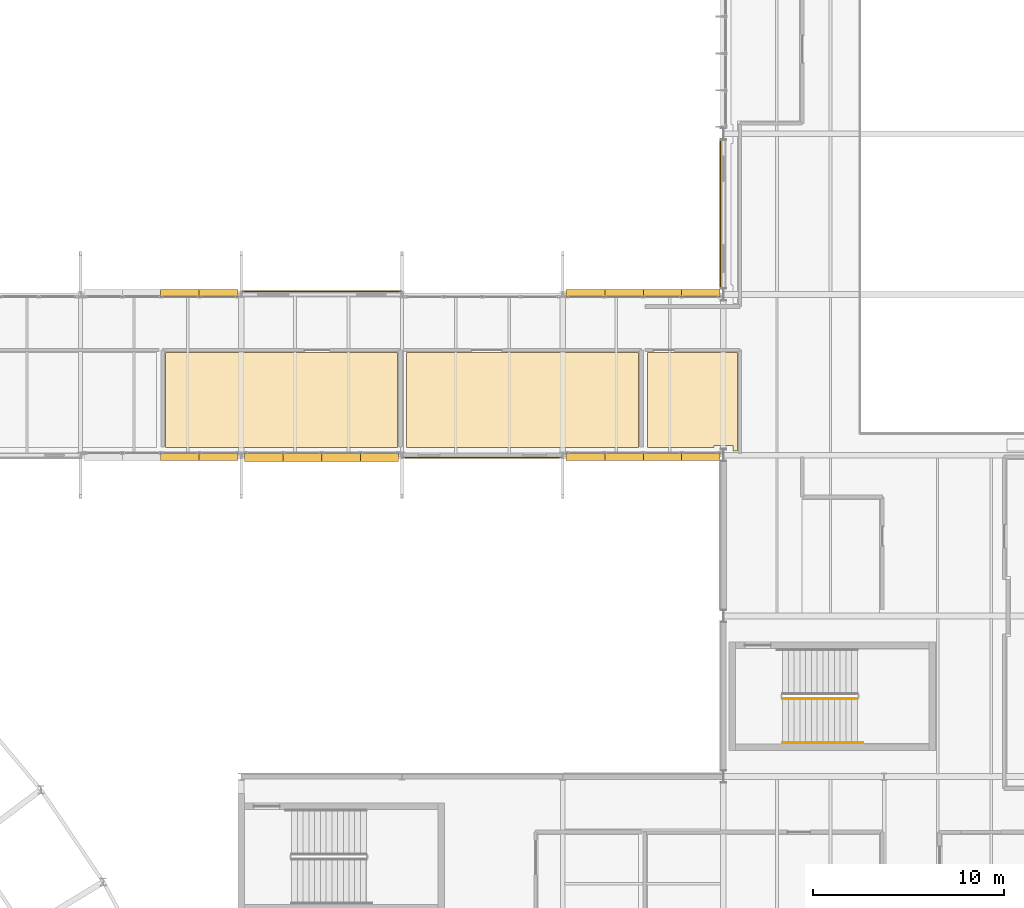
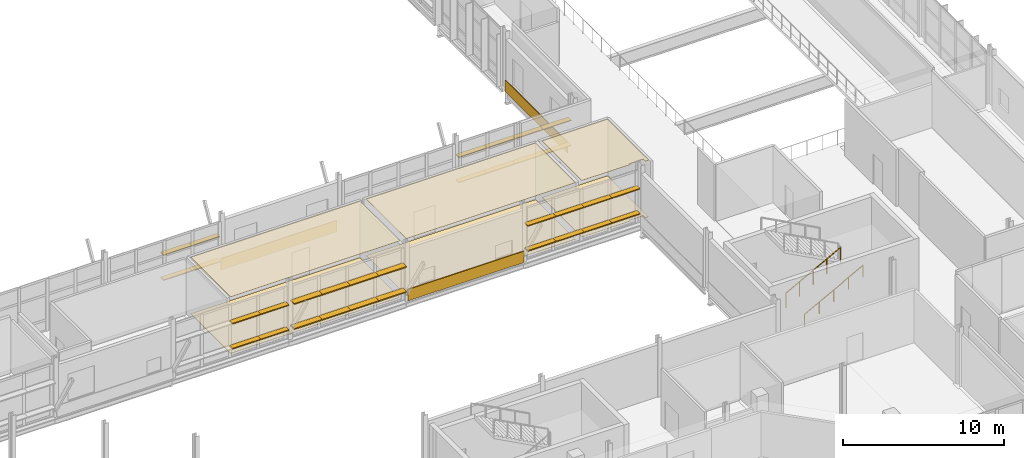
# One storey, part 112 of 129: 32 shading devices, 9 coverings, 2 railings.
"""IFC4 building model written with IfcOpenShell, lengths in metres."""

from ifc_helpers import new_model, si_unit, direction, frame, origin, origin_2d, place, context, subcontext, project, spatial, polyline, rectangle, circle, outline, extrude, material, layer, layer_set, type_object, element, save


model = new_model("IFC4")

# Units and contexts
model_context = context("Model", 3, precision=1e-05, world=origin(), true_north=direction((0.0, 1.0)))
body_context = subcontext(model_context, "Body", "Model", "MODEL_VIEW")
ifc_project = project(units=[si_unit("LENGTHUNIT", "METRE"), si_unit("AREAUNIT", "SQUARE_METRE"), si_unit("VOLUMEUNIT", "CUBIC_METRE"), si_unit("PLANEANGLEUNIT", "RADIAN"), si_unit("MASSUNIT", "GRAM", prefix="KILO")], contexts=[model_context])

# Site, building, storey
site_placement = place(None, origin())
site = spatial("IfcSite", under=ifc_project, at=site_placement, CompositionType="ELEMENT")
building_placement = place(site_placement, origin())
building = spatial("IfcBuilding", under=site, at=building_placement, Name="Mersafa Astral City Hall", CompositionType="ELEMENT")
storey_placement = place(building_placement, frame((0.0, 0.0, 5.39990234375)))
storey = spatial("IfcBuildingStorey", under=building, at=storey_placement, Name="L01", CompositionType="ELEMENT", Elevation=5.39990234375)

# Coverings
ifc_material_1 = material(Name="Cairo Mokattam buff limestone cladding", Category="masonry")
ifc_layer_1 = layer(ifc_material_1, 0.06005859375, Name="Cairo Mokattam buff limestone cladding")
ifc_layer_set_1 = layer_set([ifc_layer_1], Name="Cairo Mokattam buff limestone cladding — ENV-COV-LIMESTONE-60")
covering_type_1 = type_object("IfcCoveringType", Name="ENV-COV-LIMESTONE-60", PredefinedType="CLADDING", material=ifc_layer_set_1)
covering_1_placement = place(storey_placement, frame((92.23046875, 63.0, 0.0), z_axis=(0.0, 0.0, 1.0), x_axis=(0.0, -1.0, 0.0)))
element("IfcCovering", 1, at=covering_1_placement, inside=storey, type_object=covering_type_1, Name="L01 Cairo buff limestone rainscreen cladding 127", PredefinedType="CLADDING", context=body_context, shape_type="SweptSolid", body=[
    extrude(rectangle(XDim=7.697998046875, YDim=0.06005859375, at=origin_2d()), origin(), (0.0, 0.0, 1.0), 0.860107421875),
])
for number, where, z_axis, x_axis, name in (
    (2, (71.39990234375, 58.9619140625, 0.0), (0.0, 0.0, 1.0), (-1.0, 0.0, 0.0), "L01 Cairo buff limestone rainscreen cladding 128"),
    (3, (79.800048828125, 50.260498046875, 0.0), (0.0, 0.0, 1.0), (1.0, 0.0, 0.0), "L01 Cairo buff limestone rainscreen cladding 131"),
):
    element("IfcCovering", number, at=place(storey_placement, frame(where, z_axis=z_axis, x_axis=x_axis)), inside=storey, type_object=covering_type_1, Name=name, PredefinedType="CLADDING", context=body_context, shape_type="SweptSolid", body=[
        extrude(rectangle(XDim=8.323974609375, YDim=0.06005859375, at=origin_2d()), origin(), (0.0, 0.0, 1.0), 0.860107421875),
    ])

# Shading devices
ifc_material_2 = material(Name="Kiln-dried cedar timber brise-soleil blade", Category="wood")
shading_device_type_1 = type_object("IfcShadingDeviceType", Name="ENV-SHD-LOUVRE-380", PredefinedType="JALOUSIE", material=ifc_material_2)
shading_device_1_placement = place(storey_placement, frame((91.21337890625, 58.8798828125, 0.81494140625), z_axis=(0.0, 0.0, 1.0), x_axis=(-1.0, 0.0, 0.0)))
element("IfcShadingDevice", 4, at=shading_device_1_placement, inside=storey, type_object=shading_device_type_1, Name="L01 Horizontal cedar brise-soleil louvre 606", PredefinedType="JALOUSIE", context=body_context, shape_type="SweptSolid", body=[
    extrude(rectangle(XDim=2.029052734375, YDim=0.3798828125, at=origin_2d()), origin(), (0.0, 0.0, 1.0), 0.070068359375),
])
for number, where, z_axis, x_axis, name in (
    (5, (89.20947265625, 58.8798828125, 0.81494140625), (0.0, 0.0, 1.0), (-1.0, 0.0, 0.0), "L01 Horizontal cedar brise-soleil louvre 607"),
    (6, (87.1904296875, 58.8798828125, 0.81494140625), (0.0, 0.0, 1.0), (-1.0, 0.0, 0.0), "L01 Horizontal cedar brise-soleil louvre 608"),
):
    element("IfcShadingDevice", number, at=place(storey_placement, frame(where, z_axis=z_axis, x_axis=x_axis)), inside=storey, type_object=shading_device_type_1, Name=name, PredefinedType="JALOUSIE", context=body_context, shape_type="SweptSolid", body=[
        extrude(rectangle(XDim=2.05908203125, YDim=0.3798828125, at=origin_2d()), origin(), (0.0, 0.0, 1.0), 0.070068359375),
    ])
for number, where, z_axis, x_axis, name in (
    (7, (85.1865234375, 58.8798828125, 0.81494140625), (0.0, 0.0, 1.0), (-1.0, 0.0, 0.0), "L01 Horizontal cedar brise-soleil louvre 609"),
    (8, (91.21337890625, 58.8798828125, 2.71484375), (0.0, 0.0, 1.0), (-1.0, 0.0, 0.0), "L01 Horizontal cedar brise-soleil louvre 610"),
):
    element("IfcShadingDevice", number, at=place(storey_placement, frame(where, z_axis=z_axis, x_axis=x_axis)), inside=storey, type_object=shading_device_type_1, Name=name, PredefinedType="JALOUSIE", context=body_context, shape_type="SweptSolid", body=[
        extrude(rectangle(XDim=2.029052734375, YDim=0.3798828125, at=origin_2d()), origin(), (0.0, 0.0, 1.0), 0.070068359375),
    ])
for number, where, z_axis, x_axis, name in (
    (9, (89.20947265625, 58.8798828125, 2.71484375), (0.0, 0.0, 1.0), (-1.0, 0.0, 0.0), "L01 Horizontal cedar brise-soleil louvre 611"),
    (10, (87.1904296875, 58.8798828125, 2.71484375), (0.0, 0.0, 1.0), (-1.0, 0.0, 0.0), "L01 Horizontal cedar brise-soleil louvre 612"),
):
    element("IfcShadingDevice", number, at=place(storey_placement, frame(where, z_axis=z_axis, x_axis=x_axis)), inside=storey, type_object=shading_device_type_1, Name=name, PredefinedType="JALOUSIE", context=body_context, shape_type="SweptSolid", body=[
        extrude(rectangle(XDim=2.05908203125, YDim=0.3798828125, at=origin_2d()), origin(), (0.0, 0.0, 1.0), 0.070068359375),
    ])
for number, where, z_axis, x_axis, name in (
    (11, (85.1865234375, 58.8798828125, 2.71484375), (0.0, 0.0, 1.0), (-1.0, 0.0, 0.0), "L01 Horizontal cedar brise-soleil louvre 613"),
    (12, (66.013427734375, 58.8798828125, 0.81494140625), (0.0, 0.0, 1.0), (-1.0, 0.0, 0.0), "L01 Horizontal cedar brise-soleil louvre 614"),
):
    element("IfcShadingDevice", number, at=place(storey_placement, frame(where, z_axis=z_axis, x_axis=x_axis)), inside=storey, type_object=shading_device_type_1, Name=name, PredefinedType="JALOUSIE", context=body_context, shape_type="SweptSolid", body=[
        extrude(rectangle(XDim=2.029052734375, YDim=0.3798828125, at=origin_2d()), origin(), (0.0, 0.0, 1.0), 0.070068359375),
    ])
shading_device_2_placement = place(storey_placement, frame((64.009521484375, 58.8798828125, 0.81494140625), z_axis=(0.0, 0.0, 1.0), x_axis=(-1.0, 0.0, 0.0)))
element("IfcShadingDevice", 13, at=shading_device_2_placement, inside=storey, type_object=shading_device_type_1, Name="L01 Horizontal cedar brise-soleil louvre 615", PredefinedType="JALOUSIE", context=body_context, shape_type="SweptSolid", body=[
    extrude(rectangle(XDim=2.05908203125, YDim=0.3798828125, at=origin_2d()), origin(), (0.0, 0.0, 1.0), 0.070068359375),
])
shading_device_3_placement = place(storey_placement, frame((66.013427734375, 58.8798828125, 2.71484375), z_axis=(0.0, 0.0, 1.0), x_axis=(-1.0, 0.0, 0.0)))
element("IfcShadingDevice", 14, at=shading_device_3_placement, inside=storey, type_object=shading_device_type_1, Name="L01 Horizontal cedar brise-soleil louvre 618", PredefinedType="JALOUSIE", context=body_context, shape_type="SweptSolid", body=[
    extrude(rectangle(XDim=2.029052734375, YDim=0.3798828125, at=origin_2d()), origin(), (0.0, 0.0, 1.0), 0.070068359375),
])
for number, where, z_axis, x_axis, name in (
    (15, (64.009521484375, 58.8798828125, 2.71484375), (0.0, 0.0, 1.0), (-1.0, 0.0, 0.0), "L01 Horizontal cedar brise-soleil louvre 619"),
    (16, (64.009521484375, 50.320068359375, 0.81494140625), (0.0, 0.0, 1.0), (1.0, 0.0, 0.0), "L01 Horizontal cedar brise-soleil louvre 640"),
):
    element("IfcShadingDevice", number, at=place(storey_placement, frame(where, z_axis=z_axis, x_axis=x_axis)), inside=storey, type_object=shading_device_type_1, Name=name, PredefinedType="JALOUSIE", context=body_context, shape_type="SweptSolid", body=[
        extrude(rectangle(XDim=2.05908203125, YDim=0.3798828125, at=origin_2d()), origin(), (0.0, 0.0, 1.0), 0.070068359375),
    ])
shading_device_4_placement = place(storey_placement, frame((66.013427734375, 50.320068359375, 0.81494140625), z_axis=(0.0, 0.0, 1.0), x_axis=(1.0, 0.0, 0.0)))
element("IfcShadingDevice", 17, at=shading_device_4_placement, inside=storey, type_object=shading_device_type_1, Name="L01 Horizontal cedar brise-soleil louvre 641", PredefinedType="JALOUSIE", context=body_context, shape_type="SweptSolid", body=[
    extrude(rectangle(XDim=2.029052734375, YDim=0.3798828125, at=origin_2d()), origin(), (0.0, 0.0, 1.0), 0.070068359375),
])
shading_device_5_placement = place(storey_placement, frame((64.009521484375, 50.320068359375, 2.71484375), z_axis=(0.0, 0.0, 1.0), x_axis=(1.0, 0.0, 0.0)))
element("IfcShadingDevice", 18, at=shading_device_5_placement, inside=storey, type_object=shading_device_type_1, Name="L01 Horizontal cedar brise-soleil louvre 644", PredefinedType="JALOUSIE", context=body_context, shape_type="SweptSolid", body=[
    extrude(rectangle(XDim=2.05908203125, YDim=0.3798828125, at=origin_2d()), origin(), (0.0, 0.0, 1.0), 0.070068359375),
])
for number, where, z_axis, x_axis, name in (
    (19, (66.013427734375, 50.320068359375, 2.71484375), (0.0, 0.0, 1.0), (1.0, 0.0, 0.0), "L01 Horizontal cedar brise-soleil louvre 645"),
    (20, (85.1865234375, 50.320068359375, 0.81494140625), (0.0, 0.0, 1.0), (1.0, 0.0, 0.0), "L01 Horizontal cedar brise-soleil louvre 654"),
):
    element("IfcShadingDevice", number, at=place(storey_placement, frame(where, z_axis=z_axis, x_axis=x_axis)), inside=storey, type_object=shading_device_type_1, Name=name, PredefinedType="JALOUSIE", context=body_context, shape_type="SweptSolid", body=[
        extrude(rectangle(XDim=2.029052734375, YDim=0.3798828125, at=origin_2d()), origin(), (0.0, 0.0, 1.0), 0.070068359375),
    ])
for number, where, z_axis, x_axis, name in (
    (21, (87.1904296875, 50.320068359375, 0.81494140625), (0.0, 0.0, 1.0), (1.0, 0.0, 0.0), "L01 Horizontal cedar brise-soleil louvre 655"),
    (22, (89.20947265625, 50.320068359375, 0.81494140625), (0.0, 0.0, 1.0), (1.0, 0.0, 0.0), "L01 Horizontal cedar brise-soleil louvre 656"),
):
    element("IfcShadingDevice", number, at=place(storey_placement, frame(where, z_axis=z_axis, x_axis=x_axis)), inside=storey, type_object=shading_device_type_1, Name=name, PredefinedType="JALOUSIE", context=body_context, shape_type="SweptSolid", body=[
        extrude(rectangle(XDim=2.05908203125, YDim=0.3798828125, at=origin_2d()), origin(), (0.0, 0.0, 1.0), 0.070068359375),
    ])
for number, where, z_axis, x_axis, name in (
    (23, (91.21337890625, 50.320068359375, 0.81494140625), (0.0, 0.0, 1.0), (1.0, 0.0, 0.0), "L01 Horizontal cedar brise-soleil louvre 657"),
    (24, (85.1865234375, 50.320068359375, 2.71484375), (0.0, 0.0, 1.0), (1.0, 0.0, 0.0), "L01 Horizontal cedar brise-soleil louvre 658"),
):
    element("IfcShadingDevice", number, at=place(storey_placement, frame(where, z_axis=z_axis, x_axis=x_axis)), inside=storey, type_object=shading_device_type_1, Name=name, PredefinedType="JALOUSIE", context=body_context, shape_type="SweptSolid", body=[
        extrude(rectangle(XDim=2.029052734375, YDim=0.3798828125, at=origin_2d()), origin(), (0.0, 0.0, 1.0), 0.070068359375),
    ])
for number, where, z_axis, x_axis, name in (
    (25, (87.1904296875, 50.320068359375, 2.71484375), (0.0, 0.0, 1.0), (1.0, 0.0, 0.0), "L01 Horizontal cedar brise-soleil louvre 659"),
    (26, (89.20947265625, 50.320068359375, 2.71484375), (0.0, 0.0, 1.0), (1.0, 0.0, 0.0), "L01 Horizontal cedar brise-soleil louvre 660"),
):
    element("IfcShadingDevice", number, at=place(storey_placement, frame(where, z_axis=z_axis, x_axis=x_axis)), inside=storey, type_object=shading_device_type_1, Name=name, PredefinedType="JALOUSIE", context=body_context, shape_type="SweptSolid", body=[
        extrude(rectangle(XDim=2.05908203125, YDim=0.3798828125, at=origin_2d()), origin(), (0.0, 0.0, 1.0), 0.070068359375),
    ])
shading_device_6_placement = place(storey_placement, frame((91.21337890625, 50.320068359375, 2.71484375), z_axis=(0.0, 0.0, 1.0), x_axis=(1.0, 0.0, 0.0)))
element("IfcShadingDevice", 27, at=shading_device_6_placement, inside=storey, type_object=shading_device_type_1, Name="L01 Horizontal cedar brise-soleil louvre 661", PredefinedType="JALOUSIE", context=body_context, shape_type="SweptSolid", body=[
    extrude(rectangle(XDim=2.029052734375, YDim=0.3798828125, at=origin_2d()), origin(), (0.0, 0.0, 1.0), 0.070068359375),
])
shading_device_type_2 = type_object("IfcShadingDeviceType", Name="ENV-SHD-LOUVRE-450", PredefinedType="JALOUSIE", material=ifc_material_2)
shading_device_7_placement = place(storey_placement, frame((68.386474609375, 50.284912109375, 0.81005859375), z_axis=(0.0, 0.0, 1.0), x_axis=(1.0, 0.0, 0.0)))
element("IfcShadingDevice", 28, at=shading_device_7_placement, inside=storey, type_object=shading_device_type_2, Name="L01 Horizontal cedar brise-soleil louvre 646", PredefinedType="JALOUSIE", context=body_context, shape_type="SweptSolid", body=[
    extrude(rectangle(XDim=2.029052734375, YDim=0.449951171875, at=origin_2d()), origin(), (0.0, 0.0, 1.0), 0.080078125),
])
for number, where, z_axis, x_axis, name in (
    (29, (70.390380859375, 50.284912109375, 0.81005859375), (0.0, 0.0, 1.0), (1.0, 0.0, 0.0), "L01 Horizontal cedar brise-soleil louvre 647"),
    (30, (72.409423828125, 50.284912109375, 0.81005859375), (0.0, 0.0, 1.0), (1.0, 0.0, 0.0), "L01 Horizontal cedar brise-soleil louvre 648"),
):
    element("IfcShadingDevice", number, at=place(storey_placement, frame(where, z_axis=z_axis, x_axis=x_axis)), inside=storey, type_object=shading_device_type_2, Name=name, PredefinedType="JALOUSIE", context=body_context, shape_type="SweptSolid", body=[
        extrude(rectangle(XDim=2.05908203125, YDim=0.449951171875, at=origin_2d()), origin(), (0.0, 0.0, 1.0), 0.080078125),
    ])
for number, where, z_axis, x_axis, name in (
    (31, (74.41357421875, 50.284912109375, 0.81005859375), (0.0, 0.0, 1.0), (1.0, 0.0, 0.0), "L01 Horizontal cedar brise-soleil louvre 649"),
    (32, (68.386474609375, 50.284912109375, 2.7099609375), (0.0, 0.0, 1.0), (1.0, 0.0, 0.0), "L01 Horizontal cedar brise-soleil louvre 650"),
):
    element("IfcShadingDevice", number, at=place(storey_placement, frame(where, z_axis=z_axis, x_axis=x_axis)), inside=storey, type_object=shading_device_type_2, Name=name, PredefinedType="JALOUSIE", context=body_context, shape_type="SweptSolid", body=[
        extrude(rectangle(XDim=2.029052734375, YDim=0.449951171875, at=origin_2d()), origin(), (0.0, 0.0, 1.0), 0.080078125),
    ])
for number, where, z_axis, x_axis, name in (
    (33, (70.390380859375, 50.284912109375, 2.7099609375), (0.0, 0.0, 1.0), (1.0, 0.0, 0.0), "L01 Horizontal cedar brise-soleil louvre 651"),
    (34, (72.409423828125, 50.284912109375, 2.7099609375), (0.0, 0.0, 1.0), (1.0, 0.0, 0.0), "L01 Horizontal cedar brise-soleil louvre 652"),
):
    element("IfcShadingDevice", number, at=place(storey_placement, frame(where, z_axis=z_axis, x_axis=x_axis)), inside=storey, type_object=shading_device_type_2, Name=name, PredefinedType="JALOUSIE", context=body_context, shape_type="SweptSolid", body=[
        extrude(rectangle(XDim=2.05908203125, YDim=0.449951171875, at=origin_2d()), origin(), (0.0, 0.0, 1.0), 0.080078125),
    ])
shading_device_8_placement = place(storey_placement, frame((74.41357421875, 50.284912109375, 2.7099609375), z_axis=(0.0, 0.0, 1.0), x_axis=(1.0, 0.0, 0.0)))
element("IfcShadingDevice", 35, at=shading_device_8_placement, inside=storey, type_object=shading_device_type_2, Name="L01 Horizontal cedar brise-soleil louvre 653", PredefinedType="JALOUSIE", context=body_context, shape_type="SweptSolid", body=[
    extrude(rectangle(XDim=2.029052734375, YDim=0.449951171875, at=origin_2d()), origin(), (0.0, 0.0, 1.0), 0.080078125),
])

# Railings
ifc_material_3 = material(Name="Painted architectural steel stair guard balustrade", Category="steel")
railing_type_1 = type_object("IfcRailingType", Name="GUARD-RAIL", PredefinedType="BALUSTRADE", material=ifc_material_3)
railing_1_placement = place(storey_placement, frame((95.5, 37.669921875, 0.160888671875)))
element("IfcRailing", 36, at=railing_1_placement, inside=storey, type_object=railing_type_1, Name="L01 ST8 stair guard 1", PredefinedType="BALUSTRADE", context=body_context, shape_type="SweptSolid", body=[
    extrude(circle(Radius=0.02392578125, at=origin_2d()), frame((0.0, 0.0, 1.09619140625), z_axis=(0.881491454809, 0.0, 0.472199973632), x_axis=(0.0, 1.0, 0.0)), (0.0, 0.0, 1.0), 4.42431640625),
    extrude(circle(Radius=0.02099609375, at=origin_2d()), origin(), (0.0, 0.0, 1.0), 1.072021484375),
    extrude(circle(Radius=0.02099609375, at=origin_2d()), frame((0.97509765625, 0.0, 0.522216796875)), (0.0, 0.0, 1.0), 1.072021484375),
    extrude(circle(Radius=0.02099609375, at=origin_2d()), frame((1.949951171875, 0.0, 1.04443359375)), (0.0, 0.0, 1.0), 1.072021484375),
    extrude(circle(Radius=0.02099609375, at=origin_2d()), frame((2.9248046875, 0.0, 1.56689453125)), (0.0, 0.0, 1.0), 1.072021484375),
    extrude(circle(Radius=0.02099609375, at=origin_2d()), frame((3.89990234375, 0.0, 2.089111328125)), (0.0, 0.0, 1.0), 1.072021484375),
])
ifc_material_4 = material(Name="Brushed stainless steel tubular handrail", Category="steel")
railing_type_2 = type_object("IfcRailingType", Name="HANDRAIL", PredefinedType="HANDRAIL", material=ifc_material_4)
railing_2_placement = place(storey_placement, frame((95.5, 35.3701171875, 0.160888671875)))
element("IfcRailing", 37, at=railing_2_placement, inside=storey, type_object=railing_type_2, Name="L01 ST8 stair handrail 1", PredefinedType="HANDRAIL", context=body_context, shape_type="SweptSolid", body=[
    extrude(circle(Radius=0.02392578125, at=origin_2d()), frame((0.0, 0.0, 0.8759765625), z_axis=(0.881221683169, 0.0, 0.472703231546), x_axis=(0.0, 1.0, 0.0)), (0.0, 0.0, 1.0), 4.76611328125),
    extrude(circle(Radius=0.02099609375, at=origin_2d()), origin(), (0.0, 0.0, 1.0), 0.851806640625),
    extrude(circle(Radius=0.02099609375, at=origin_2d()), frame((1.050048828125, 0.0, 0.563232421875)), (0.0, 0.0, 1.0), 0.851806640625),
    extrude(circle(Radius=0.02099609375, at=origin_2d()), frame((2.10009765625, 0.0, 1.12646484375)), (0.0, 0.0, 1.0), 0.851806640625),
    extrude(circle(Radius=0.02099609375, at=origin_2d()), frame((3.14990234375, 0.0, 1.689697265625)), (0.0, 0.0, 1.0), 0.851806640625),
    extrude(circle(Radius=0.02099609375, at=origin_2d()), frame((4.199951171875, 0.0, 2.2529296875)), (0.0, 0.0, 1.0), 0.851806640625),
])

# Coverings
ifc_material_5 = material(Name="Perforated acoustic gypsum board ceiling", Category="gypsum")
ifc_layer_2 = layer(ifc_material_5, 0.02490234375, Name="Perforated acoustic gypsum board ceiling")
ifc_layer_set_2 = layer_set([ifc_layer_2], Name="Perforated acoustic gypsum board ceiling — INT-COV-CEIL-25")
covering_type_2 = type_object("IfcCoveringType", Name="INT-COV-CEIL-25", PredefinedType="CEILING", material=ifc_layer_set_2)
covering_2_placement = place(storey_placement, frame((0.0, 0.0, 4.281005859375)))
element("IfcCovering", 38, at=covering_2_placement, inside=storey, type_object=covering_type_2, Name="L01 Legislative Drafting Office L01-17 acoustic ceiling", PredefinedType="CEILING", context=body_context, shape_type="SweptSolid", body=[
    extrude(outline(polyline([(75.3701171875, 55.760009765625), (75.3701171875, 50.800048828125), (63.22998046875, 50.800048828125), (63.22998046875, 55.760009765625), (75.3701171875, 55.760009765625)])), origin(), (0.0, 0.0, 1.0), 0.025146484375),
])
covering_3_placement = place(storey_placement, frame((0.0, 0.0, 4.281005859375)))
element("IfcCovering", 39, at=covering_3_placement, inside=storey, type_object=covering_type_2, Name="L01 Public Restroom L01-19 acoustic ceiling", PredefinedType="CEILING", context=body_context, shape_type="SweptSolid", body=[
    extrude(outline(polyline([(87.969970703125, 55.760009765625), (87.969970703125, 50.800048828125), (75.830078125, 50.800048828125), (75.830078125, 55.760009765625), (87.969970703125, 55.760009765625)])), origin(), (0.0, 0.0, 1.0), 0.025146484375),
])
covering_4_placement = place(storey_placement, frame((0.0, 0.0, 4.281005859375)))
element("IfcCovering", 40, at=covering_4_placement, inside=storey, type_object=covering_type_2, Name="L01 Civic Ombudsman Consultation Suite L01-32 acoustic ceiling", PredefinedType="CEILING", context=body_context, shape_type="SweptSolid", body=[
    extrude(outline(polyline([(93.1298828125, 55.760009765625), (93.1298828125, 50.6298828125), (92.89501953125, 50.6298828125), (92.89501953125, 50.89501953125), (91.905029296875, 50.89501953125), (91.905029296875, 50.800048828125), (88.429931640625, 50.800048828125), (88.429931640625, 55.760009765625), (93.1298828125, 55.760009765625)])), origin(), (0.0, 0.0, 1.0), 0.025146484375),
])
ifc_material_6 = material(Name="Honed Cairo limestone terrazzo flooring", Category="masonry")
ifc_layer_3 = layer(ifc_material_6, 0.02001953125, Name="Honed Cairo limestone terrazzo flooring")
ifc_layer_set_3 = layer_set([ifc_layer_3], Name="Honed Cairo limestone terrazzo flooring — INT-COV-FLR-20")
covering_type_3 = type_object("IfcCoveringType", Name="INT-COV-FLR-20", PredefinedType="FLOORING", material=ifc_layer_set_3)
covering_5_placement = place(storey_placement, frame((0.0, 0.0, -0.00146484375)))
element("IfcCovering", 41, at=covering_5_placement, inside=storey, type_object=covering_type_3, Name="L01 Legislative Drafting Office L01-17 architectural flooring", PredefinedType="FLOORING", context=body_context, shape_type="SweptSolid", body=[
    extrude(outline(polyline([(75.3701171875, 55.760009765625), (75.3701171875, 50.800048828125), (63.22998046875, 50.800048828125), (63.22998046875, 55.760009765625), (75.3701171875, 55.760009765625)])), origin(), (0.0, 0.0, 1.0), 0.02001953125),
])
covering_6_placement = place(storey_placement, frame((0.0, 0.0, -0.00146484375)))
element("IfcCovering", 42, at=covering_6_placement, inside=storey, type_object=covering_type_3, Name="L01 Public Restroom L01-19 architectural flooring", PredefinedType="FLOORING", context=body_context, shape_type="SweptSolid", body=[
    extrude(outline(polyline([(87.969970703125, 55.760009765625), (87.969970703125, 50.800048828125), (75.830078125, 50.800048828125), (75.830078125, 55.760009765625), (87.969970703125, 55.760009765625)])), origin(), (0.0, 0.0, 1.0), 0.02001953125),
])
covering_7_placement = place(storey_placement, frame((0.0, 0.0, -0.00146484375)))
element("IfcCovering", 43, at=covering_7_placement, inside=storey, type_object=covering_type_3, Name="L01 Civic Ombudsman Consultation Suite L01-32 architectural flooring", PredefinedType="FLOORING", context=body_context, shape_type="SweptSolid", body=[
    extrude(outline(polyline([(93.1298828125, 55.760009765625), (93.1298828125, 50.6298828125), (92.89501953125, 50.6298828125), (92.89501953125, 50.89501953125), (91.905029296875, 50.89501953125), (91.905029296875, 50.800048828125), (88.429931640625, 50.800048828125), (88.429931640625, 55.760009765625), (93.1298828125, 55.760009765625)])), origin(), (0.0, 0.0, 1.0), 0.02001953125),
])

save(model, "model.ifc")
